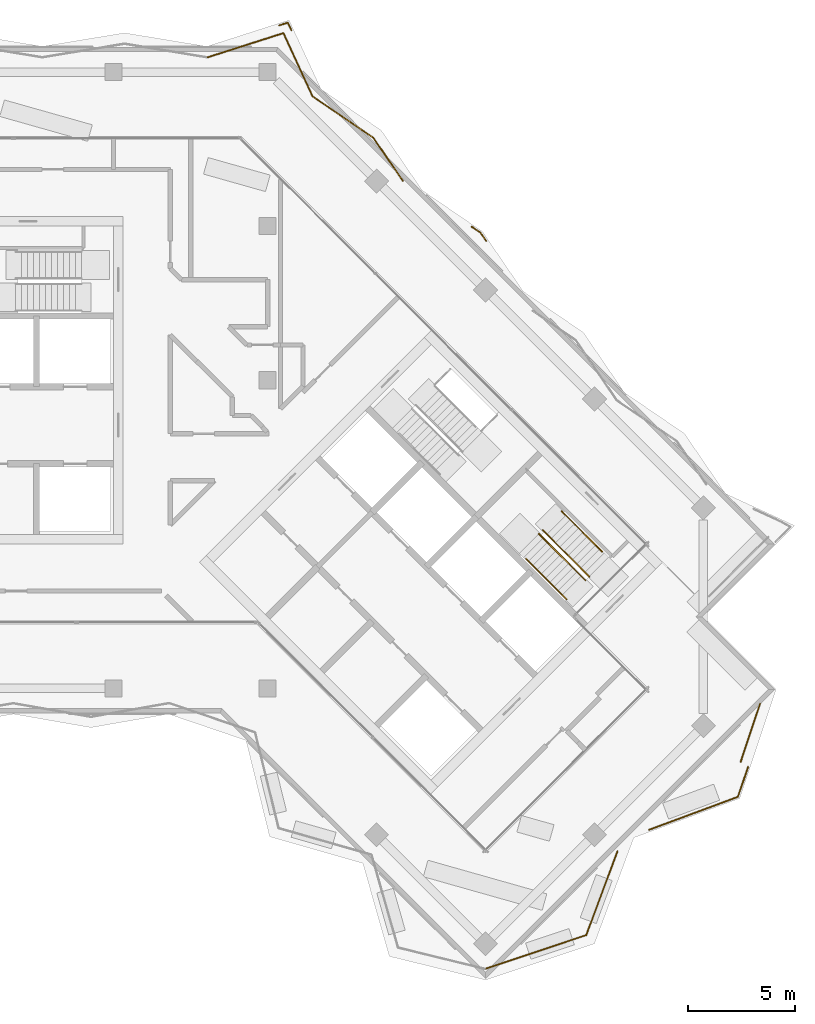
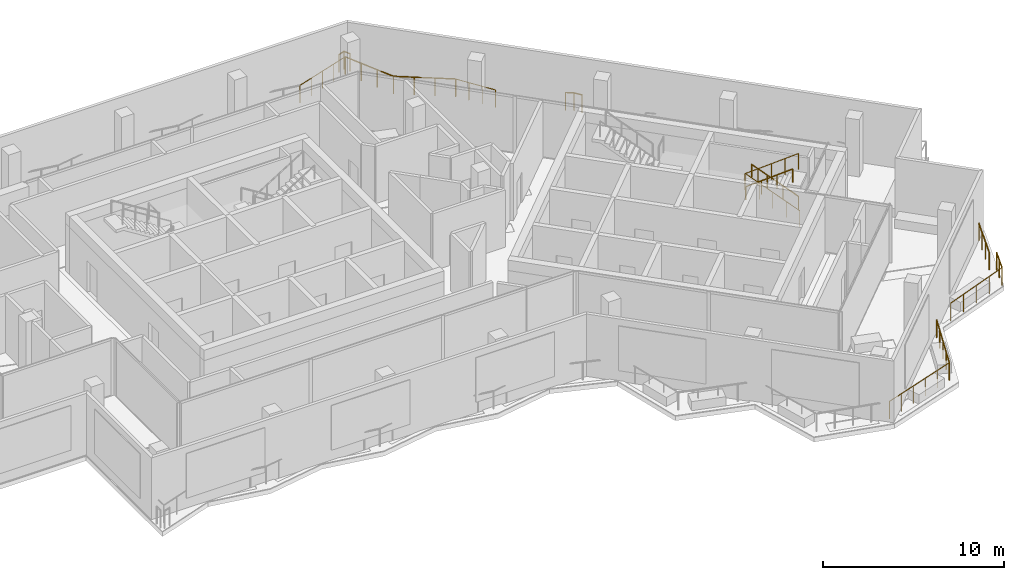
# One storey, part 18 of 19: 18 railings.
"""IFC4 building model written with IfcOpenShell, lengths in metres."""

from ifc_helpers import new_model, si_unit, direction, frame, origin, origin_2d, place, context, subcontext, project, spatial, circle, extrude, material, type_object, element, save


model = new_model("IFC4")

# Units and contexts
model_context = context("Model", 3, precision=1e-05, world=origin(), true_north=direction((0.0, 1.0)))
body_context = subcontext(model_context, "Body", "Model", "MODEL_VIEW")
ifc_project = project(units=[si_unit("LENGTHUNIT", "METRE"), si_unit("AREAUNIT", "SQUARE_METRE"), si_unit("VOLUMEUNIT", "CUBIC_METRE"), si_unit("PLANEANGLEUNIT", "RADIAN"), si_unit("MASSUNIT", "GRAM", prefix="KILO")], contexts=[model_context])

# Site, building, storey
site_placement = place(None, origin())
site = spatial("IfcSite", under=ifc_project, at=site_placement, CompositionType="ELEMENT")
building_placement = place(site_placement, origin())
building = spatial("IfcBuilding", under=site, at=building_placement, Name="Windrow Commons", CompositionType="ELEMENT")
storey_placement = place(building_placement, frame((0.0, 0.0, 230.4)))
storey = spatial("IfcBuildingStorey", under=building, at=storey_placement, Name="L63", CompositionType="ELEMENT", Elevation=230.4)

# Railings
ifc_material_1 = material(Name="Steel S355", Category="steel")
railing_type_1 = type_object("IfcRailingType", Name="Core stair guard 1100", PredefinedType="GUARDRAIL", material=ifc_material_1)
railing_1_placement = place(storey_placement, frame((94.2296, 48.4215, 0.175)))
element("IfcRailing", 1, at=railing_1_placement, inside=storey, type_object=railing_type_1, Name="L63 ST-B2 stair guard 1", PredefinedType="GUARDRAIL", context=body_context, shape_type="SweptSolid", body=[
    extrude(circle(Radius=0.024, at=origin_2d()), frame((0.0, 0.0, 1.076), z_axis=(-0.5996262107, 0.5996262107, 0.5299969951), x_axis=(-0.7071067812, -0.7071067812, 0.0)), (0.0, 0.0, 1.0), 3.6321),
    extrude(circle(Radius=0.021, at=origin_2d()), origin(), (0.0, 0.0, 1.0), 1.052),
    extrude(circle(Radius=0.021, at=origin_2d()), frame((-0.5445, 0.5445, 0.4813)), (0.0, 0.0, 1.0), 1.052),
    extrude(circle(Radius=0.021, at=origin_2d()), frame((-1.089, 1.089, 0.9625)), (0.0, 0.0, 1.0), 1.052),
    extrude(circle(Radius=0.021, at=origin_2d()), frame((-1.6334, 1.6334, 1.4438)), (0.0, 0.0, 1.0), 1.052),
    extrude(circle(Radius=0.021, at=origin_2d()), frame((-2.1779, 2.1779, 1.925)), (0.0, 0.0, 1.0), 1.052),
])
railing_2_placement = place(storey_placement, frame((91.8749, 50.4226, 2.275)))
element("IfcRailing", 2, at=railing_2_placement, inside=storey, type_object=railing_type_1, Name="L63 ST-B2 stair guard 2", PredefinedType="GUARDRAIL", context=body_context, shape_type="SweptSolid", body=[
    extrude(circle(Radius=0.024, at=origin_2d()), frame((0.0, 0.0, 1.076), z_axis=(0.5996262107, -0.5996262107, 0.5299969951), x_axis=(0.7071067812, 0.7071067812, 0.0)), (0.0, 0.0, 1.0), 3.6321),
    extrude(circle(Radius=0.021, at=origin_2d()), origin(), (0.0, 0.0, 1.0), 1.052),
    extrude(circle(Radius=0.021, at=origin_2d()), frame((0.5445, -0.5445, 0.4812)), (0.0, 0.0, 1.0), 1.052),
    extrude(circle(Radius=0.021, at=origin_2d()), frame((1.089, -1.089, 0.9625)), (0.0, 0.0, 1.0), 1.052),
    extrude(circle(Radius=0.021, at=origin_2d()), frame((1.6334, -1.6334, 1.4437)), (0.0, 0.0, 1.0), 1.052),
    extrude(circle(Radius=0.021, at=origin_2d()), frame((2.1779, -2.1779, 1.925)), (0.0, 0.0, 1.0), 1.052),
])
ifc_material_2 = material(Name="Steel S355", Category="steel")
railing_type_2 = type_object("IfcRailingType", Name="Core stair handrail 900", PredefinedType="HANDRAIL", material=ifc_material_2)
railing_3_placement = place(storey_placement, frame((94.8306, 49.5883, 0.425)))
element("IfcRailing", 3, at=railing_3_placement, inside=storey, type_object=railing_type_2, Name="L63 ST-B2 stair handrail 1", PredefinedType="HANDRAIL", context=body_context, shape_type="SweptSolid", body=[
    extrude(circle(Radius=0.024, at=origin_2d()), frame((0.0, 0.0, 0.876), z_axis=(-0.599641512, 0.5996098703, 0.5299981703), x_axis=(-0.7070881243, -0.7071254376, 0.0)), (0.0, 0.0, 1.0), 3.1604),
    extrude(circle(Radius=0.021, at=origin_2d()), origin(), (0.0, 0.0, 1.0), 0.852),
    extrude(circle(Radius=0.021, at=origin_2d()), frame((-0.6317, 0.6317, 0.5583)), (0.0, 0.0, 1.0), 0.852),
    extrude(circle(Radius=0.021, at=origin_2d()), frame((-1.2634, 1.2633, 1.1167)), (0.0, 0.0, 1.0), 0.852),
    extrude(circle(Radius=0.021, at=origin_2d()), frame((-1.8951, 1.895, 1.675)), (0.0, 0.0, 1.0), 0.852),
])
railing_4_placement = place(storey_placement, frame((91.2738, 49.2559, 2.525)))
element("IfcRailing", 4, at=railing_4_placement, inside=storey, type_object=railing_type_2, Name="L63 ST-B2 stair handrail 2", PredefinedType="HANDRAIL", context=body_context, shape_type="SweptSolid", body=[
    extrude(circle(Radius=0.024, at=origin_2d()), frame((0.0, 0.0, 0.876), z_axis=(0.599641512, -0.5996098703, 0.5299981703), x_axis=(0.7070881243, 0.7071254376, 0.0)), (0.0, 0.0, 1.0), 3.1604),
    extrude(circle(Radius=0.021, at=origin_2d()), origin(), (0.0, 0.0, 1.0), 0.852),
    extrude(circle(Radius=0.021, at=origin_2d()), frame((0.6317, -0.6317, 0.5583)), (0.0, 0.0, 1.0), 0.852),
    extrude(circle(Radius=0.021, at=origin_2d()), frame((1.2634, -1.2633, 1.1167)), (0.0, 0.0, 1.0), 0.852),
    extrude(circle(Radius=0.021, at=origin_2d()), frame((1.8951, -1.895, 1.675)), (0.0, 0.0, 1.0), 0.852),
])
ifc_material_3 = material(Name="Stainless steel S316 balustrade with toughened glass infill", Category="steel")
railing_type_3 = type_object("IfcRailingType", Name="Terrace guard 1200 podium", PredefinedType="BALUSTRADE", material=ifc_material_3)
railing_5_placement = place(storey_placement, frame((76.3959, 72.687, 0.05)))
element("IfcRailing", 5, at=railing_5_placement, inside=storey, type_object=railing_type_3, Name="Guard TR-L63-1.E26", PredefinedType="BALUSTRADE", context=body_context, shape_type="SweptSolid", body=[
    extrude(circle(Radius=0.025, at=origin_2d()), frame((0.0, 0.0, 1.175), z_axis=(0.9522477926, 0.305326287, 0.0), x_axis=(-0.305326287, 0.9522477926, 0.0)), (0.0, 0.0, 1.0), 3.7167),
    extrude(circle(Radius=0.02, at=origin_2d()), origin(), (0.0, 0.0, 1.0), 1.15),
    extrude(circle(Radius=0.02, at=origin_2d()), frame((0.8848, 0.2837, 0.0)), (0.0, 0.0, 1.0), 1.15),
    extrude(circle(Radius=0.02, at=origin_2d()), frame((1.7696, 0.5674, 0.0)), (0.0, 0.0, 1.0), 1.15),
    extrude(circle(Radius=0.02, at=origin_2d()), frame((2.6544, 0.8511, 0.0)), (0.0, 0.0, 1.0), 1.15),
    extrude(circle(Radius=0.02, at=origin_2d()), frame((3.5392, 1.1348, 0.0)), (0.0, 0.0, 1.0), 1.15),
])
railing_6_placement = place(storey_placement, frame((79.9351, 73.8218, 0.05)))
element("IfcRailing", 6, at=railing_6_placement, inside=storey, type_object=railing_type_3, Name="Guard TR-L63-1.E27", PredefinedType="BALUSTRADE", context=body_context, shape_type="SweptSolid", body=[
    extrude(circle(Radius=0.025, at=origin_2d()), frame((0.0, 0.0, 1.175), z_axis=(0.419284087, -0.9078550844, 0.0), x_axis=(0.9078550844, 0.419284087, 0.0)), (0.0, 0.0, 1.0), 3.256),
    extrude(circle(Radius=0.02, at=origin_2d()), origin(), (0.0, 0.0, 1.0), 1.15),
    extrude(circle(Radius=0.02, at=origin_2d()), frame((0.4551, -0.9853, 0.0)), (0.0, 0.0, 1.0), 1.15),
    extrude(circle(Radius=0.02, at=origin_2d()), frame((0.9101, -1.9707, 0.0)), (0.0, 0.0, 1.0), 1.15),
    extrude(circle(Radius=0.02, at=origin_2d()), frame((1.3652, -2.956, 0.0)), (0.0, 0.0, 1.0), 1.15),
])
railing_7_placement = place(storey_placement, frame((81.3003, 70.8658, 0.05)))
element("IfcRailing", 7, at=railing_7_placement, inside=storey, type_object=railing_type_3, Name="Guard TR-L63-1.E28", PredefinedType="BALUSTRADE", context=body_context, shape_type="SweptSolid", body=[
    extrude(circle(Radius=0.025, at=origin_2d()), frame((0.0, 0.0, 1.175), z_axis=(0.825865953, -0.5638664982, 0.0), x_axis=(0.5638664982, 0.825865953, 0.0)), (0.0, 0.0, 1.0), 3.4439),
    extrude(circle(Radius=0.02, at=origin_2d()), origin(), (0.0, 0.0, 1.0), 1.15),
    extrude(circle(Radius=0.02, at=origin_2d()), frame((0.9481, -0.6473, 0.0)), (0.0, 0.0, 1.0), 1.15),
    extrude(circle(Radius=0.02, at=origin_2d()), frame((1.8961, -1.2946, 0.0)), (0.0, 0.0, 1.0), 1.15),
    extrude(circle(Radius=0.02, at=origin_2d()), frame((2.8442, -1.9419, 0.0)), (0.0, 0.0, 1.0), 1.15),
])
railing_8_placement = place(storey_placement, frame((84.1445, 68.9239, 0.05)))
element("IfcRailing", 8, at=railing_8_placement, inside=storey, type_object=railing_type_3, Name="Guard TR-L63-1.E29", PredefinedType="BALUSTRADE", context=body_context, shape_type="SweptSolid", body=[
    extrude(circle(Radius=0.025, at=origin_2d()), frame((0.0, 0.0, 1.175), z_axis=(0.5638553461, -0.825873567, 0.0), x_axis=(0.825873567, 0.5638553461, 0.0)), (0.0, 0.0, 1.0), 2.4411),
    extrude(circle(Radius=0.02, at=origin_2d()), origin(), (0.0, 0.0, 1.0), 1.15),
    extrude(circle(Radius=0.02, at=origin_2d()), frame((0.4588, -0.672, 0.0)), (0.0, 0.0, 1.0), 1.15),
    extrude(circle(Radius=0.02, at=origin_2d()), frame((0.9176, -1.344, 0.0)), (0.0, 0.0, 1.0), 1.15),
    extrude(circle(Radius=0.02, at=origin_2d()), frame((1.3764, -2.016, 0.0)), (0.0, 0.0, 1.0), 1.15),
])
railing_9_placement = place(storey_placement, frame((102.21, 42.4846, 0.05)))
element("IfcRailing", 9, at=railing_9_placement, inside=storey, type_object=railing_type_3, Name="Guard TR-L63-1.E35", PredefinedType="BALUSTRADE", context=body_context, shape_type="SweptSolid", body=[
    extrude(circle(Radius=0.025, at=origin_2d()), frame((0.0, 0.0, 1.175), z_axis=(-0.3162112392, -0.9486888068, 0.0), x_axis=(0.9486888068, -0.3162112392, 0.0)), (0.0, 0.0, 1.0), 1.8152),
    extrude(circle(Radius=0.02, at=origin_2d()), origin(), (0.0, 0.0, 1.0), 1.15),
    extrude(circle(Radius=0.02, at=origin_2d()), frame((-0.287, -0.861, 0.0)), (0.0, 0.0, 1.0), 1.15),
    extrude(circle(Radius=0.02, at=origin_2d()), frame((-0.574, -1.7221, 0.0)), (0.0, 0.0, 1.0), 1.15),
])
railing_10_placement = place(storey_placement, frame((101.636, 40.7625, 0.05)))
element("IfcRailing", 10, at=railing_10_placement, inside=storey, type_object=railing_type_3, Name="Guard TR-L63-1.E36", PredefinedType="BALUSTRADE", context=body_context, shape_type="SweptSolid", body=[
    extrude(circle(Radius=0.025, at=origin_2d()), frame((0.0, 0.0, 1.175), z_axis=(-0.3163133319, -0.9486547718, 0.0), x_axis=(0.9486547718, -0.3163133319, 0.0)), (0.0, 0.0, 1.0), 1.0518),
    extrude(circle(Radius=0.02, at=origin_2d()), origin(), (0.0, 0.0, 1.0), 1.15),
    extrude(circle(Radius=0.02, at=origin_2d()), frame((-0.3327, -0.9978, 0.0)), (0.0, 0.0, 1.0), 1.15),
])
railing_11_placement = place(storey_placement, frame((95.5422, 35.5839, 0.05)))
element("IfcRailing", 11, at=railing_11_placement, inside=storey, type_object=railing_type_3, Name="Guard TR-L63-1.E37", PredefinedType="BALUSTRADE", context=body_context, shape_type="SweptSolid", body=[
    extrude(circle(Radius=0.025, at=origin_2d()), frame((0.0, 0.0, 1.175), z_axis=(-0.348179916, -0.9374277285, 0.0), x_axis=(0.9374277285, -0.348179916, 0.0)), (0.0, 0.0, 1.0), 4.176),
    extrude(circle(Radius=0.02, at=origin_2d()), origin(), (0.0, 0.0, 1.0), 1.15),
    extrude(circle(Radius=0.02, at=origin_2d()), frame((-0.3635, -0.9787, 0.0)), (0.0, 0.0, 1.0), 1.15),
    extrude(circle(Radius=0.02, at=origin_2d()), frame((-0.727, -1.9573, 0.0)), (0.0, 0.0, 1.0), 1.15),
    extrude(circle(Radius=0.02, at=origin_2d()), frame((-1.0905, -2.936, 0.0)), (0.0, 0.0, 1.0), 1.15),
    extrude(circle(Radius=0.02, at=origin_2d()), frame((-1.454, -3.9147, 0.0)), (0.0, 0.0, 1.0), 1.15),
])
railing_12_placement = place(storey_placement, frame((94.0882, 31.6692, 0.05)))
element("IfcRailing", 12, at=railing_12_placement, inside=storey, type_object=railing_type_3, Name="Guard TR-L63-1.E38", PredefinedType="BALUSTRADE", context=body_context, shape_type="SweptSolid", body=[
    extrude(circle(Radius=0.025, at=origin_2d()), frame((0.0, 0.0, 1.175), z_axis=(-0.9486893186, -0.3162097037, 0.0), x_axis=(0.3162097037, -0.9486893186, 0.0)), (0.0, 0.0, 1.0), 4.9828),
    extrude(circle(Radius=0.02, at=origin_2d()), origin(), (0.0, 0.0, 1.0), 1.15),
    extrude(circle(Radius=0.02, at=origin_2d()), frame((-0.9454, -0.3151, 0.0)), (0.0, 0.0, 1.0), 1.15),
    extrude(circle(Radius=0.02, at=origin_2d()), frame((-1.8908, -0.6302, 0.0)), (0.0, 0.0, 1.0), 1.15),
    extrude(circle(Radius=0.02, at=origin_2d()), frame((-2.8363, -0.9454, 0.0)), (0.0, 0.0, 1.0), 1.15),
    extrude(circle(Radius=0.02, at=origin_2d()), frame((-3.7817, -1.2605, 0.0)), (0.0, 0.0, 1.0), 1.15),
    extrude(circle(Radius=0.02, at=origin_2d()), frame((-4.7271, -1.5756, 0.0)), (0.0, 0.0, 1.0), 1.15),
])
railing_13_placement = place(storey_placement, frame((101.6472, 39.5314, 0.05)))
element("IfcRailing", 13, at=railing_13_placement, inside=storey, type_object=railing_type_3, Name="Guard TR-L63-1.C200", PredefinedType="BALUSTRADE", context=body_context, shape_type="SweptSolid", body=[
    extrude(circle(Radius=0.025, at=origin_2d()), frame((0.0, 0.0, 1.175), z_axis=(-0.319013702, -0.9477501031, 0.0), x_axis=(0.9477501031, -0.319013702, 0.0)), (0.0, 0.0, 1.0), 1.4745),
    extrude(circle(Radius=0.02, at=origin_2d()), origin(), (0.0, 0.0, 1.0), 1.15),
    extrude(circle(Radius=0.02, at=origin_2d()), frame((-0.2352, -0.6988, 0.0)), (0.0, 0.0, 1.0), 1.15),
    extrude(circle(Radius=0.02, at=origin_2d()), frame((-0.4704, -1.3975, 0.0)), (0.0, 0.0, 1.0), 1.15),
])
railing_14_placement = place(storey_placement, frame((101.1768, 38.1339, 0.05)))
element("IfcRailing", 14, at=railing_14_placement, inside=storey, type_object=railing_type_3, Name="Guard TR-L63-1.C201", PredefinedType="BALUSTRADE", context=body_context, shape_type="SweptSolid", body=[
    extrude(circle(Radius=0.025, at=origin_2d()), frame((0.0, 0.0, 1.175), z_axis=(-0.9374294825, -0.3481751935, 0.0), x_axis=(0.3481751935, -0.9374294825, 0.0)), (0.0, 0.0, 1.0), 4.4297),
    extrude(circle(Radius=0.02, at=origin_2d()), origin(), (0.0, 0.0, 1.0), 1.15),
    extrude(circle(Radius=0.02, at=origin_2d()), frame((-1.0381, -0.3856, 0.0)), (0.0, 0.0, 1.0), 1.15),
    extrude(circle(Radius=0.02, at=origin_2d()), frame((-2.0763, -0.7711, 0.0)), (0.0, 0.0, 1.0), 1.15),
    extrude(circle(Radius=0.02, at=origin_2d()), frame((-3.1144, -1.1567, 0.0)), (0.0, 0.0, 1.0), 1.15),
    extrude(circle(Radius=0.02, at=origin_2d()), frame((-4.1525, -1.5423, 0.0)), (0.0, 0.0, 1.0), 1.15),
])
railing_15_placement = place(storey_placement, frame((88.7401, 64.7717, 0.05)))
element("IfcRailing", 15, at=railing_15_placement, inside=storey, type_object=railing_type_3, Name="Guard TR-L63-1.C205", PredefinedType="BALUSTRADE", context=body_context, shape_type="SweptSolid", body=[
    extrude(circle(Radius=0.025, at=origin_2d()), frame((0.0, 0.0, 1.175), z_axis=(0.8258623369, -0.5638717943, 0.0), x_axis=(0.5638717943, 0.8258623369, 0.0)), (0.0, 0.0, 1.0), 0.4813),
    extrude(circle(Radius=0.02, at=origin_2d()), origin(), (0.0, 0.0, 1.0), 1.15),
    extrude(circle(Radius=0.02, at=origin_2d()), frame((0.3975, -0.2714, 0.0)), (0.0, 0.0, 1.0), 1.15),
])
railing_16_placement = place(storey_placement, frame((89.1376, 64.5003, 0.05)))
element("IfcRailing", 16, at=railing_16_placement, inside=storey, type_object=railing_type_3, Name="Guard TR-L63-1.C206", PredefinedType="BALUSTRADE", context=body_context, shape_type="SweptSolid", body=[
    extrude(circle(Radius=0.025, at=origin_2d()), frame((0.0, 0.0, 1.175), z_axis=(0.578751477, -0.8155039717, 0.0), x_axis=(0.8155039717, 0.578751477, 0.0)), (0.0, 0.0, 1.0), 0.4798),
    extrude(circle(Radius=0.02, at=origin_2d()), origin(), (0.0, 0.0, 1.0), 1.15),
    extrude(circle(Radius=0.02, at=origin_2d()), frame((0.2777, -0.3913, 0.0)), (0.0, 0.0, 1.0), 1.15),
])
railing_17_placement = place(storey_placement, frame((79.7404, 74.1795, 0.05)))
element("IfcRailing", 17, at=railing_17_placement, inside=storey, type_object=railing_type_3, Name="Guard TR-L63-1.C207", PredefinedType="BALUSTRADE", context=body_context, shape_type="SweptSolid", body=[
    extrude(circle(Radius=0.025, at=origin_2d()), frame((0.0, 0.0, 1.175), z_axis=(0.9522632815, 0.3052779762, 0.0), x_axis=(-0.3052779762, 0.9522632815, 0.0)), (0.0, 0.0, 1.0), 0.4118),
    extrude(circle(Radius=0.02, at=origin_2d()), origin(), (0.0, 0.0, 1.0), 1.15),
    extrude(circle(Radius=0.02, at=origin_2d()), frame((0.3921, 0.1257, 0.0)), (0.0, 0.0, 1.0), 1.15),
])
railing_18_placement = place(storey_placement, frame((80.1325, 74.3052, 0.05)))
element("IfcRailing", 18, at=railing_18_placement, inside=storey, type_object=railing_type_3, Name="Guard TR-L63-1.C208", PredefinedType="BALUSTRADE", context=body_context, shape_type="SweptSolid", body=[
    extrude(circle(Radius=0.025, at=origin_2d()), frame((0.0, 0.0, 1.175), z_axis=(0.4602950541, -0.8877659957, 0.0), x_axis=(0.8877659957, 0.4602950541, 0.0)), (0.0, 0.0, 1.0), 0.3961),
    extrude(circle(Radius=0.02, at=origin_2d()), origin(), (0.0, 0.0, 1.0), 1.15),
    extrude(circle(Radius=0.02, at=origin_2d()), frame((0.1823, -0.3516, 0.0)), (0.0, 0.0, 1.0), 1.15),
])

save(model, "model.ifc")
